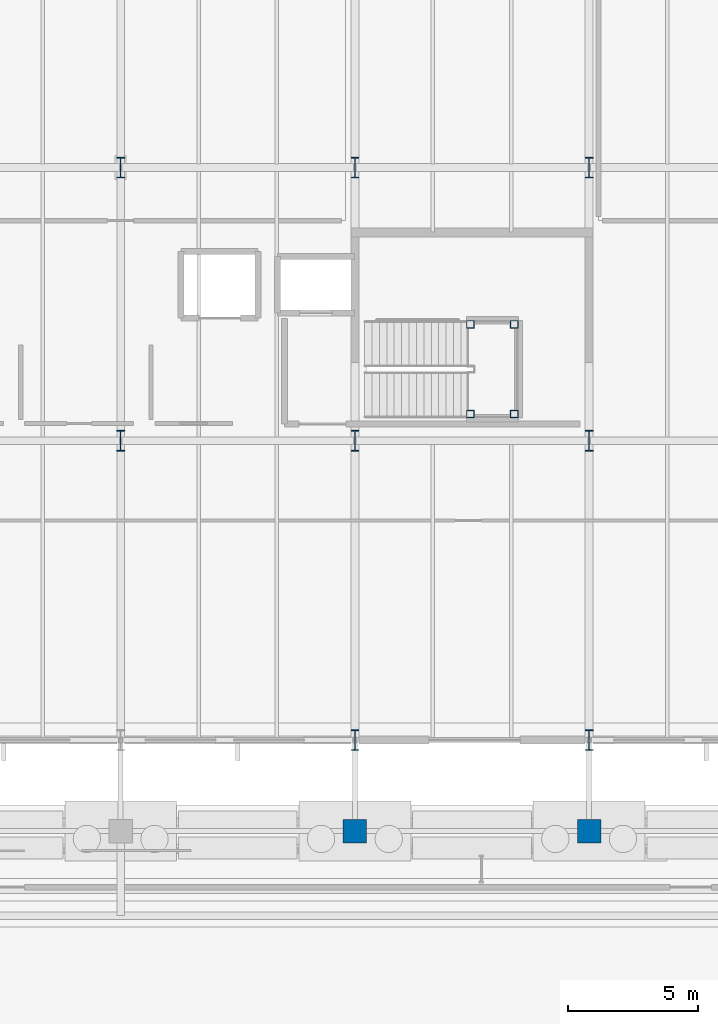
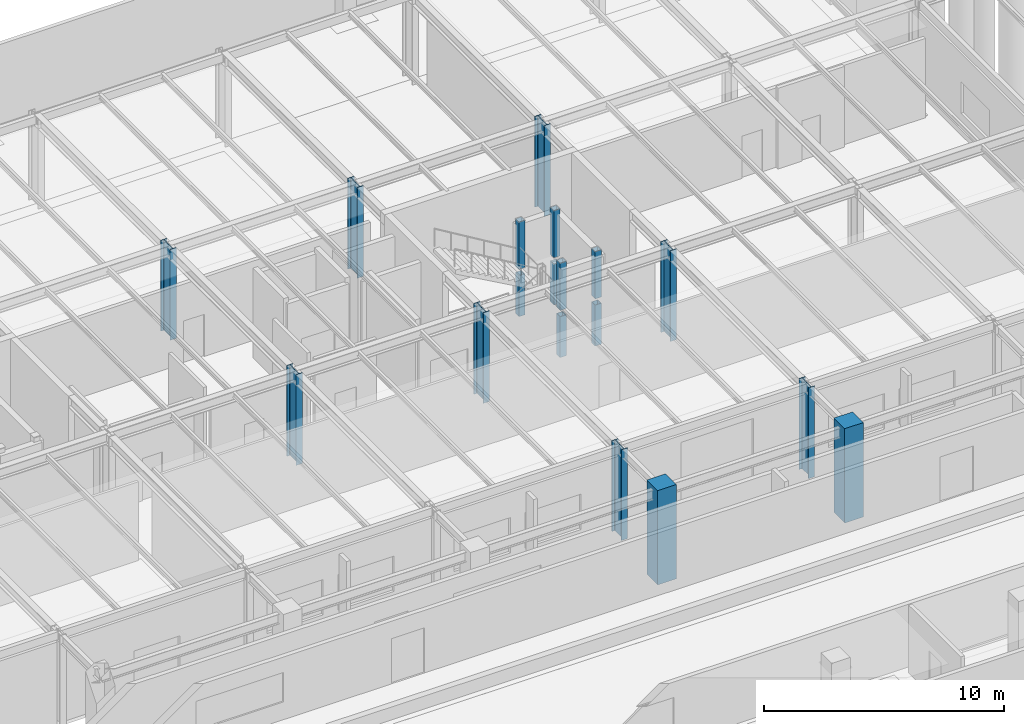
# One storey, part 21 of 160: 18 columns.
"""IFC4 building model written with IfcOpenShell, lengths in metres."""

from ifc_helpers import new_model, si_unit, direction, frame, origin, origin_2d, place, context, subcontext, project, spatial, rectangle, hollow_rectangle, i_section, extrude, material, material_profile, profile_set, type_object, element, save


model = new_model("IFC4")

# Units and contexts
model_context = context("Model", 3, precision=1e-05, world=origin(), true_north=direction((0.0, 1.0)))
body_context = subcontext(model_context, "Body", "Model", "MODEL_VIEW")
ifc_project = project(units=[si_unit("LENGTHUNIT", "METRE"), si_unit("AREAUNIT", "SQUARE_METRE"), si_unit("VOLUMEUNIT", "CUBIC_METRE"), si_unit("PLANEANGLEUNIT", "RADIAN"), si_unit("MASSUNIT", "GRAM", prefix="KILO")], contexts=[model_context])

# Site, building, storey
site_placement = place(None, origin())
site = spatial("IfcSite", under=ifc_project, at=site_placement, CompositionType="ELEMENT")
building_placement = place(site_placement, origin())
building = spatial("IfcBuilding", under=site, at=building_placement, Name="Marlcrest Central Station", CompositionType="ELEMENT")
storey_placement = place(building_placement, origin())
storey = spatial("IfcBuildingStorey", under=building, at=storey_placement, Name="L00", CompositionType="ELEMENT", Elevation=0.0)

# Columns
ifc_material_1 = material(Name="Concrete C50/60", Category="concrete")
ifc_material_profile_1 = material_profile(ifc_material_1, rectangle(XDim=0.89990234375, YDim=0.89990234375, at=origin_2d()), Name="RC 900x900")
ifc_profile_set_1 = profile_set([ifc_material_profile_1], Name="Concrete C50/60")
column_type_1 = type_object("IfcColumnType", Name="RC-08", PredefinedType="COLUMN", material=ifc_profile_set_1)
for number, where, z_axis, x_axis, name in (
    (1, (45.0, 95.5, 0.0), (0.0, 0.0, 1.0), (1.0, 0.0, 0.0), "col-RC-08-L00-0470"),
    (2, (54.0, 95.5, 0.0), (0.0, 0.0, 1.0), (1.0, 0.0, 0.0), "col-RC-08-L00-0480"),
):
    element("IfcColumn", number, at=place(storey_placement, frame(where, z_axis=z_axis, x_axis=x_axis)), inside=storey, type_object=column_type_1, Name=name, PredefinedType="COLUMN", context=body_context, shape_type="SweptSolid", body=[
        extrude(rectangle(XDim=0.89990234375, YDim=0.89990234375, at=origin_2d()), origin(), (0.0, 0.0, 1.0), 4.800048828125),
    ])
ifc_material_2 = material(Name="Steel S355", Category="steel")
ifc_material_profile_2 = material_profile(ifc_material_2, i_section(OverallWidth=0.300048828125, OverallDepth=0.800048828125, WebThickness=0.017578125, FlangeThickness=0.032958984375, FilletRadius=0.030029296875, at=origin_2d()), Name="HEB 800")
ifc_profile_set_2 = profile_set([ifc_material_profile_2], Name="Steel S355")
column_type_2 = type_object("IfcColumnType", Name="SC-08", PredefinedType="COLUMN", material=ifc_profile_set_2)
for number, where, z_axis, x_axis, name in (
    (3, (36.0, 110.5, 0.0), (0.0, 0.0, 1.0), (1.0, 0.0, 0.0), "col-SC-08-L00-0054"),
    (4, (36.0, 121.0, 0.0), (0.0, 0.0, 1.0), (1.0, 0.0, 0.0), "col-SC-08-L00-0055"),
    (5, (45.0, 99.0, 0.0), (0.0, 0.0, 1.0), (1.0, 0.0, 0.0), "col-SC-08-L00-0057"),
    (6, (45.0, 110.5, 0.0), (0.0, 0.0, 1.0), (1.0, 0.0, 0.0), "col-SC-08-L00-0058"),
    (7, (45.0, 121.0, 0.0), (0.0, 0.0, 1.0), (1.0, 0.0, 0.0), "col-SC-08-L00-0059"),
    (8, (54.0, 99.0, 0.0), (0.0, 0.0, 1.0), (1.0, 0.0, 0.0), "col-SC-08-L00-0061"),
    (9, (54.0, 110.5, 0.0), (0.0, 0.0, 1.0), (1.0, 0.0, 0.0), "col-SC-08-L00-0062"),
    (10, (54.0, 121.0, 0.0), (0.0, 0.0, 1.0), (1.0, 0.0, 0.0), "col-SC-08-L00-0063"),
):
    element("IfcColumn", number, at=place(storey_placement, frame(where, z_axis=z_axis, x_axis=x_axis)), inside=storey, type_object=column_type_2, Name=name, PredefinedType="COLUMN", context=body_context, shape_type="SweptSolid", body=[
        extrude(i_section(OverallWidth=0.300048828125, OverallDepth=0.800048828125, WebThickness=0.017578125, FlangeThickness=0.032958984375, FilletRadius=0.030029296875, at=origin_2d()), origin(), (0.0, 0.0, 1.0), 4.610107421875),
    ])
ifc_material_profile_3 = material_profile(ifc_material_2, hollow_rectangle(XDim=0.300048828125, YDim=0.300048828125, WallThickness=0.01611328125, at=origin_2d()), Name="SHS 300x300x16")
ifc_profile_set_3 = profile_set([ifc_material_profile_3], Name="Steel S355")
column_type_3 = type_object("IfcColumnType", Name="SC-19", PredefinedType="COLUMN", material=ifc_profile_set_3)
column_1_placement = place(storey_placement, frame((49.43994140625, 111.530029296875, 0.0), z_axis=(0.0, 0.0, 1.0), x_axis=(1.0, 0.0, 0.0)))
element("IfcColumn", 11, at=column_1_placement, inside=storey, type_object=column_type_3, Name="htcol-lo-0045-0", PredefinedType="COLUMN", context=body_context, shape_type="SweptSolid", body=[
    extrude(hollow_rectangle(XDim=0.300048828125, YDim=0.300048828125, WallThickness=0.01611328125, at=origin_2d()), origin(), (0.0, 0.0, 1.0), 2.080078125),
])
column_2_placement = place(storey_placement, frame((49.43994140625, 111.530029296875, 2.39990234375), z_axis=(0.0, 0.0, 1.0), x_axis=(1.0, 0.0, 0.0)))
element("IfcColumn", 12, at=column_2_placement, inside=storey, type_object=column_type_3, Name="htcol-hi-0045-0", PredefinedType="COLUMN", context=body_context, shape_type="SweptSolid", body=[
    extrude(hollow_rectangle(XDim=0.300048828125, YDim=0.300048828125, WallThickness=0.01611328125, at=origin_2d()), origin(), (0.0, 0.0, 1.0), 2.400146484375),
])
column_3_placement = place(storey_placement, frame((51.1201171875, 111.530029296875, 0.0), z_axis=(0.0, 0.0, 1.0), x_axis=(1.0, 0.0, 0.0)))
element("IfcColumn", 13, at=column_3_placement, inside=storey, type_object=column_type_3, Name="htcol-lo-0045-1", PredefinedType="COLUMN", context=body_context, shape_type="SweptSolid", body=[
    extrude(hollow_rectangle(XDim=0.300048828125, YDim=0.300048828125, WallThickness=0.01611328125, at=origin_2d()), origin(), (0.0, 0.0, 1.0), 2.080078125),
])
column_4_placement = place(storey_placement, frame((51.1201171875, 111.530029296875, 2.39990234375), z_axis=(0.0, 0.0, 1.0), x_axis=(1.0, 0.0, 0.0)))
element("IfcColumn", 14, at=column_4_placement, inside=storey, type_object=column_type_3, Name="htcol-hi-0045-1", PredefinedType="COLUMN", context=body_context, shape_type="SweptSolid", body=[
    extrude(hollow_rectangle(XDim=0.300048828125, YDim=0.300048828125, WallThickness=0.01611328125, at=origin_2d()), origin(), (0.0, 0.0, 1.0), 2.400146484375),
])
column_5_placement = place(storey_placement, frame((51.1201171875, 114.969970703125, 0.0), z_axis=(0.0, 0.0, 1.0), x_axis=(1.0, 0.0, 0.0)))
element("IfcColumn", 15, at=column_5_placement, inside=storey, type_object=column_type_3, Name="htcol-lo-0045-2", PredefinedType="COLUMN", context=body_context, shape_type="SweptSolid", body=[
    extrude(hollow_rectangle(XDim=0.300048828125, YDim=0.300048828125, WallThickness=0.01611328125, at=origin_2d()), origin(), (0.0, 0.0, 1.0), 2.080078125),
])
column_6_placement = place(storey_placement, frame((51.1201171875, 114.969970703125, 2.39990234375), z_axis=(0.0, 0.0, 1.0), x_axis=(1.0, 0.0, 0.0)))
element("IfcColumn", 16, at=column_6_placement, inside=storey, type_object=column_type_3, Name="htcol-hi-0045-2", PredefinedType="COLUMN", context=body_context, shape_type="SweptSolid", body=[
    extrude(hollow_rectangle(XDim=0.300048828125, YDim=0.300048828125, WallThickness=0.01611328125, at=origin_2d()), origin(), (0.0, 0.0, 1.0), 2.400146484375),
])
column_7_placement = place(storey_placement, frame((49.43994140625, 114.969970703125, 0.0), z_axis=(0.0, 0.0, 1.0), x_axis=(1.0, 0.0, 0.0)))
element("IfcColumn", 17, at=column_7_placement, inside=storey, type_object=column_type_3, Name="htcol-lo-0045-3", PredefinedType="COLUMN", context=body_context, shape_type="SweptSolid", body=[
    extrude(hollow_rectangle(XDim=0.300048828125, YDim=0.300048828125, WallThickness=0.01611328125, at=origin_2d()), origin(), (0.0, 0.0, 1.0), 2.080078125),
])
column_8_placement = place(storey_placement, frame((49.43994140625, 114.969970703125, 2.39990234375), z_axis=(0.0, 0.0, 1.0), x_axis=(1.0, 0.0, 0.0)))
element("IfcColumn", 18, at=column_8_placement, inside=storey, type_object=column_type_3, Name="htcol-hi-0045-3", PredefinedType="COLUMN", context=body_context, shape_type="SweptSolid", body=[
    extrude(hollow_rectangle(XDim=0.300048828125, YDim=0.300048828125, WallThickness=0.01611328125, at=origin_2d()), origin(), (0.0, 0.0, 1.0), 2.400146484375),
])

save(model, "model.ifc")
